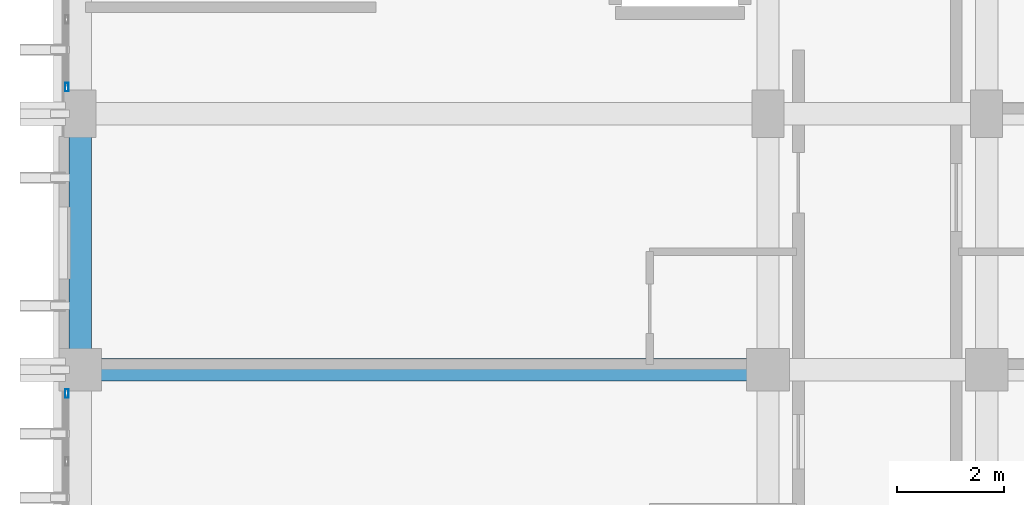
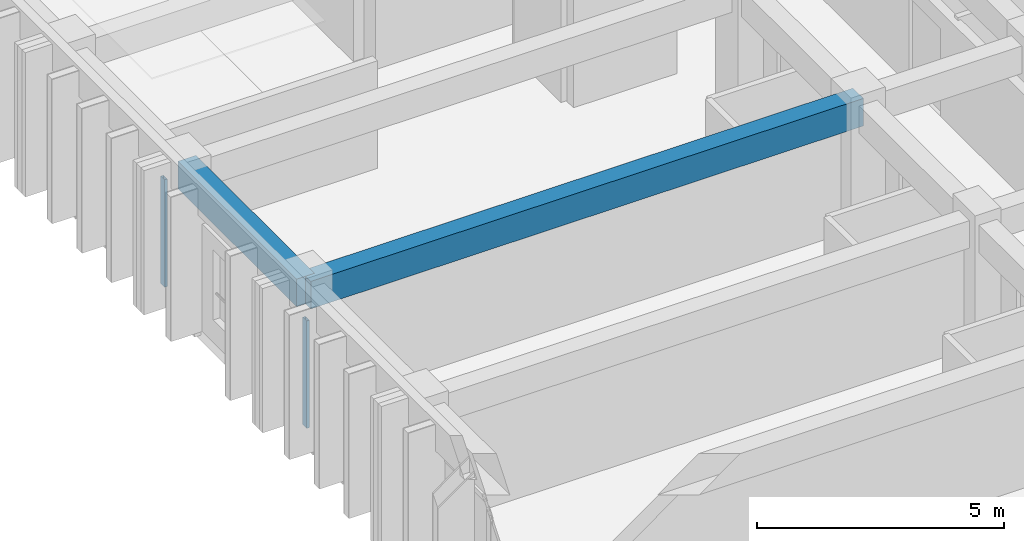
# One storey, part 23 of 82: 2 beams, 2 members, 2 elements without a shape of their own.
"""IFC4 building model written with IfcOpenShell, lengths in metres."""

from ifc_helpers import new_model, si_unit, direction, frame, origin, origin_2d, place, context, subcontext, project, spatial, rectangle, hollow_rectangle, extrude, material, layer, layer_set, material_profile, profile_set, type_object, element, aggregate, save


model = new_model("IFC4")

# Units and contexts
model_context = context("Model", 3, precision=1e-05, world=origin(), true_north=direction((0.0, 1.0)))
body_context = subcontext(model_context, "Body", "Model", "MODEL_VIEW")
ifc_project = project(units=[si_unit("LENGTHUNIT", "METRE"), si_unit("AREAUNIT", "SQUARE_METRE"), si_unit("VOLUMEUNIT", "CUBIC_METRE"), si_unit("PLANEANGLEUNIT", "RADIAN"), si_unit("MASSUNIT", "GRAM", prefix="KILO")], contexts=[model_context])

# Site, building, storey
site_placement = place(None, origin())
site = spatial("IfcSite", under=ifc_project, at=site_placement, CompositionType="ELEMENT")
building_placement = place(site_placement, origin())
building = spatial("IfcBuilding", under=site, at=building_placement, Name="Nakhvara Creek Congress Hotel", CompositionType="ELEMENT")
storey_placement = place(building_placement, frame((0.0, 0.0, 21.0)))
storey = spatial("IfcBuildingStorey", under=building, at=storey_placement, Name="L04", CompositionType="ELEMENT", Elevation=21.0)

# Beams
ifc_material_1 = material(Name="Concrete C40/50", Category="concrete")
ifc_material_profile_1 = material_profile(ifc_material_1, rectangle(XDim=0.419921875, YDim=0.679931640625, at=origin_2d()), Name="RC-BM 420x680", Category="LoadBearing")
ifc_profile_set_1 = profile_set([ifc_material_profile_1], Name="Concrete C40/50")
beam_type = type_object("IfcBeamType", Name="BM-RC-420X680", PredefinedType="BEAM", material=ifc_profile_set_1)
beam_1_placement = place(storey_placement, frame((149.449951171875, 67.199951171875, 3.0), z_axis=(1.0, 0.0, 0.0), x_axis=(0.0, 1.0, 0.0)))
element("IfcBeam", 1, at=beam_1_placement, inside=storey, type_object=beam_type, Name="Beam B11-L04-1923", PredefinedType="BEAM", context=body_context, shape_type="SweptSolid", body=[
    extrude(rectangle(XDim=0.419921875, YDim=0.679931640625, at=origin_2d()), origin(), (0.0, 0.0, 1.0), 12.900146484375),
])
beam_2_placement = place(storey_placement, frame((149.449951171875, 67.199951171875, 3.0), z_axis=(0.0, 1.0, 0.0), x_axis=(-1.0, 0.0, 0.0)))
element("IfcBeam", 2, at=beam_2_placement, inside=storey, type_object=beam_type, Name="Beam B11-L04-1925", PredefinedType="BEAM", context=body_context, shape_type="SweptSolid", body=[
    extrude(rectangle(XDim=0.419921875, YDim=0.679931640625, at=origin_2d()), origin(), (0.0, 0.0, 1.0), 4.800048828125),
])

# Curtain wall, member
ifc_material_2 = material(Name="Bronze-anodised aluminium AW-6063-T6 and double-silver low-E glass", Category="aluminium")
ifc_layer = layer(ifc_material_2, 0.199951171875)
ifc_layer_set = layer_set([ifc_layer], Name="Bronze-anodised aluminium AW-6063-T6 and double-silver low-E glass")
curtain_wall_type = type_object("IfcCurtainWallType", Name="CW-HTL-UNIT", PredefinedType="USERDEFINED", material=ifc_layer_set)
curtain_wall_1_placement = place(storey_placement, origin())
curtain_wall_1 = element("IfcCurtainWall", 3, at=curtain_wall_1_placement, inside=storey, type_object=curtain_wall_type, Name="Curtain Wall CW185", ObjectType="UNITISED", PredefinedType="USERDEFINED")
ifc_material_3 = material(Name="Bronze-anodised aluminium AW-6063-T6", Category="aluminium")
ifc_material_profile_2 = material_profile(ifc_material_3, hollow_rectangle(XDim=0.06494140625, YDim=0.159912109375, WallThickness=0.00390625, at=origin_2d()), Name="ALU-MULL 65x160x4", Category="LoadBearing")
ifc_profile_set_2 = profile_set([ifc_material_profile_2], Name="Bronze-anodised aluminium AW-6063-T6")
member_type = type_object("IfcMemberType", Name="CW-MULL-160", PredefinedType="MULLION", material=ifc_profile_set_2)
member_1_placement = place(storey_placement, frame((149.199951171875, 66.75244140625, 0.0), z_axis=(0.0, 0.0, 1.0), x_axis=(-1.0, 0.0, 0.0)))
member_1 = element("IfcMember", 4, at=member_1_placement, type_object=member_type, Name="CW185 mullion 4", PredefinedType="MULLION", context=body_context, shape_type="SweptSolid", body=[
    extrude(hollow_rectangle(XDim=0.06494140625, YDim=0.159912109375, WallThickness=0.00390625, at=origin_2d()), origin(), (0.0, 0.0, 1.0), 2.652099609375),
])
aggregate(curtain_wall_1, [member_1])

curtain_wall_2_placement = place(storey_placement, origin())
curtain_wall_2 = element("IfcCurtainWall", 5, at=curtain_wall_2_placement, inside=storey, type_object=curtain_wall_type, Name="Curtain Wall CW187", ObjectType="UNITISED", PredefinedType="USERDEFINED")
member_2_placement = place(storey_placement, frame((149.199951171875, 72.49755859375, 0.0), z_axis=(0.0, 0.0, 1.0), x_axis=(-1.0, 0.0, 0.0)))
member_2 = element("IfcMember", 6, at=member_2_placement, type_object=member_type, Name="CW187 mullion 1", PredefinedType="MULLION", context=body_context, shape_type="SweptSolid", body=[
    extrude(hollow_rectangle(XDim=0.06494140625, YDim=0.159912109375, WallThickness=0.00390625, at=origin_2d()), origin(), (0.0, 0.0, 1.0), 2.652099609375),
])
aggregate(curtain_wall_2, [member_2])

save(model, "model.ifc")
